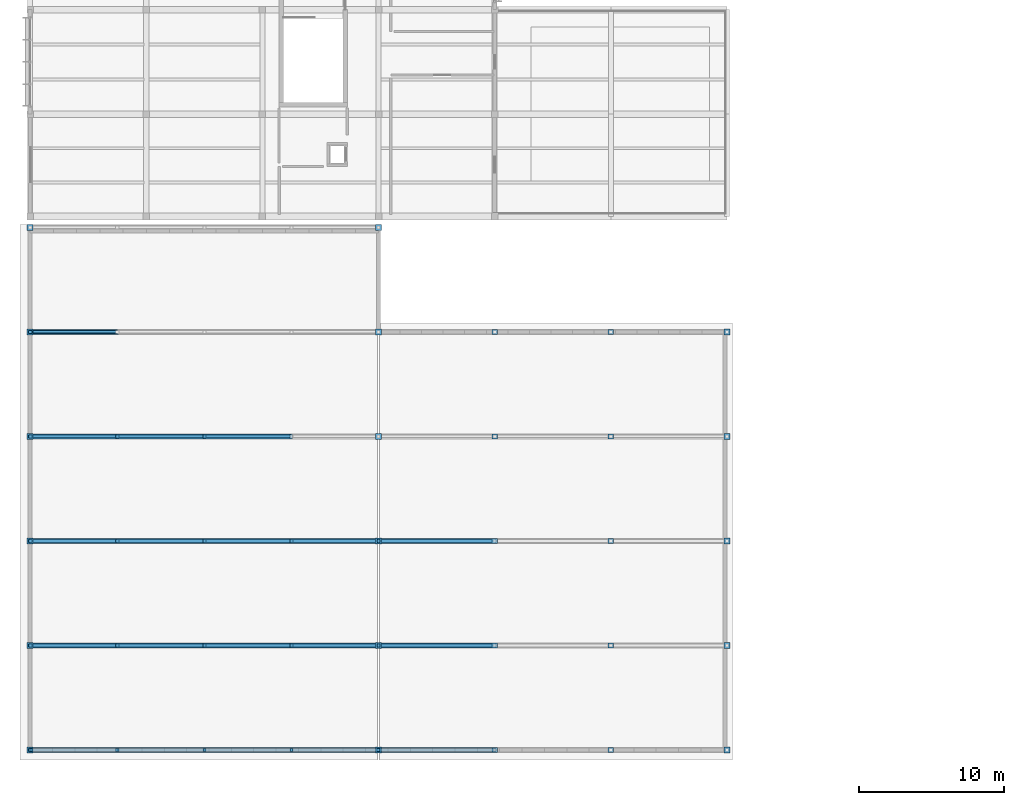
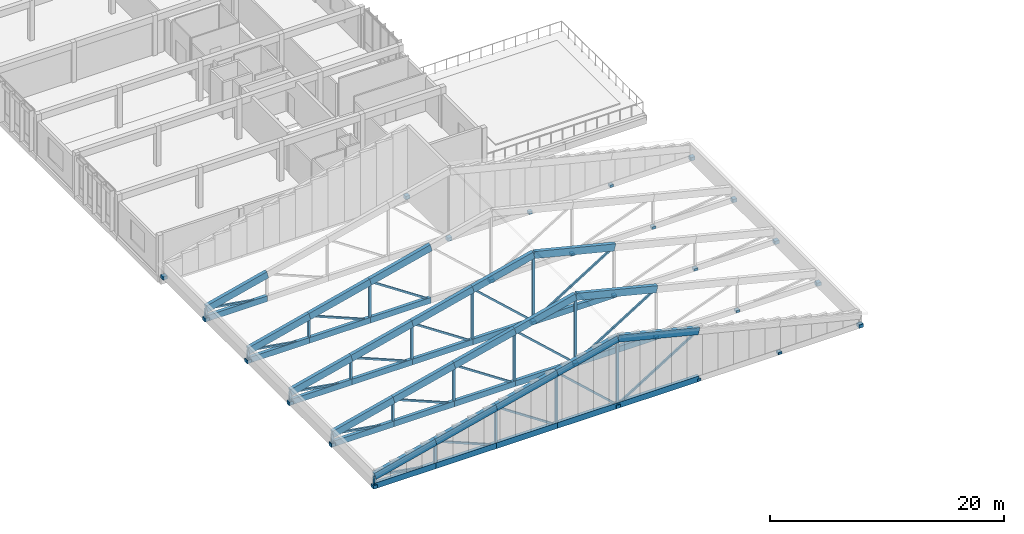
# One storey, part 5 of 107: 76 members, 27 columns.
"""IFC4 building model written with IfcOpenShell, lengths in metres."""

from ifc_helpers import new_model, si_unit, direction, frame, origin, origin_2d, place, context, subcontext, project, spatial, rectangle, extrude, material, material_profile, profile_set, type_object, element, save


model = new_model("IFC4")

# Units and contexts
model_context = context("Model", 3, precision=1e-05, world=origin(), true_north=direction((0.0, 1.0)))
body_context = subcontext(model_context, "Body", "Model", "MODEL_VIEW")
ifc_project = project(units=[si_unit("LENGTHUNIT", "METRE"), si_unit("AREAUNIT", "SQUARE_METRE"), si_unit("VOLUMEUNIT", "CUBIC_METRE"), si_unit("PLANEANGLEUNIT", "RADIAN"), si_unit("MASSUNIT", "GRAM", prefix="KILO")], contexts=[model_context])

# Site, building, storey
site_placement = place(None, origin())
site = spatial("IfcSite", under=ifc_project, at=site_placement, CompositionType="ELEMENT")
building_placement = place(site_placement, origin())
building = spatial("IfcBuilding", under=site, at=building_placement, Name="Chiffa Square Polytechnic", CompositionType="ELEMENT")
storey_placement = place(building_placement, frame((0.0, 0.0, 13.800048828125)))
storey = spatial("IfcBuildingStorey", under=building, at=storey_placement, Name="L03", CompositionType="ELEMENT", Elevation=13.800048828125)

# Columns
ifc_material_1 = material(Name="Glulam GL32c", Category="wood")
ifc_material_profile_1 = material_profile(ifc_material_1, rectangle(XDim=0.360107421875, YDim=0.360107421875, at=origin_2d()), Name="GL32c 360x360")
ifc_profile_set_1 = profile_set([ifc_material_profile_1], Name="Glulam GL32c")
column_type_1 = type_object("IfcColumnType", Name="COL-GL-360", PredefinedType="COLUMN", material=ifc_profile_set_1)
for number, where, z_axis, x_axis, name in (
    (1, (32.0, 0.0, 0.0), (0.0, 0.0, 1.0), (1.0, 0.0, 0.0), "Symposium truss post C-V3-L03-I01-32"),
    (2, (40.0, 0.0, 0.0), (0.0, 0.0, 1.0), (1.0, 0.0, 0.0), "Symposium truss post C-V3-L03-I01-40"),
    (3, (32.0, 7.199951171875, 0.0), (0.0, 0.0, 1.0), (1.0, 0.0, 0.0), "Symposium truss post C-V3-L03-I02-32"),
    (4, (40.0, 7.199951171875, 0.0), (0.0, 0.0, 1.0), (1.0, 0.0, 0.0), "Symposium truss post C-V3-L03-I02-40"),
    (5, (32.0, 14.39990234375, 0.0), (0.0, 0.0, 1.0), (1.0, 0.0, 0.0), "Symposium truss post C-V3-L03-I03-32"),
    (6, (40.0, 14.39990234375, 0.0), (0.0, 0.0, 1.0), (1.0, 0.0, 0.0), "Symposium truss post C-V3-L03-I03-40"),
    (7, (32.0, 21.60009765625, 0.0), (0.0, 0.0, 1.0), (1.0, 0.0, 0.0), "Symposium truss post C-V3-L03-I04-32"),
    (8, (40.0, 21.60009765625, 0.0), (0.0, 0.0, 1.0), (1.0, 0.0, 0.0), "Symposium truss post C-V3-L03-I04-40"),
    (9, (32.0, 28.800048828125, 0.0), (0.0, 0.0, 1.0), (1.0, 0.0, 0.0), "Symposium truss post C-V3-L03-I05-32"),
    (10, (40.0, 28.800048828125, 0.0), (0.0, 0.0, 1.0), (1.0, 0.0, 0.0), "Symposium truss post C-V3-L03-I05-40"),
):
    element("IfcColumn", number, at=place(storey_placement, frame(where, z_axis=z_axis, x_axis=x_axis)), inside=storey, type_object=column_type_1, Name=name, PredefinedType="COLUMN", context=body_context, shape_type="SweptSolid", body=[
        extrude(rectangle(XDim=0.360107421875, YDim=0.360107421875, at=origin_2d()), origin(), (0.0, 0.0, 1.0), 0.25),
    ])
ifc_material_profile_2 = material_profile(ifc_material_1, rectangle(XDim=0.419921875, YDim=0.419921875, at=origin_2d()), Name="GL32c 420x420")
ifc_profile_set_2 = profile_set([ifc_material_profile_2], Name="Glulam GL32c")
column_type_2 = type_object("IfcColumnType", Name="COL-GL-420", PredefinedType="COLUMN", material=ifc_profile_set_2)
for number, where, z_axis, x_axis, name in (
    (11, (0.0, 0.0, 0.0), (0.0, 0.0, 1.0), (1.0, 0.0, 0.0), "Lecture truss bearing post C-V3-L03-W01"),
    (12, (24.0, 0.0, 0.0), (0.0, 0.0, 1.0), (1.0, 0.0, 0.0), "Lecture truss bearing post C-V3-L03-M01"),
    (13, (48.0, 0.0, 0.0), (0.0, 0.0, 1.0), (1.0, 0.0, 0.0), "Lecture truss bearing post C-V3-L03-E01"),
    (14, (0.0, 7.199951171875, 0.0), (0.0, 0.0, 1.0), (1.0, 0.0, 0.0), "Lecture truss bearing post C-V3-L03-W02"),
    (15, (24.0, 7.199951171875, 0.0), (0.0, 0.0, 1.0), (1.0, 0.0, 0.0), "Lecture truss bearing post C-V3-L03-M02"),
    (16, (48.0, 7.199951171875, 0.0), (0.0, 0.0, 1.0), (1.0, 0.0, 0.0), "Lecture truss bearing post C-V3-L03-E02"),
    (17, (0.0, 14.39990234375, 0.0), (0.0, 0.0, 1.0), (1.0, 0.0, 0.0), "Lecture truss bearing post C-V3-L03-W03"),
    (18, (24.0, 14.39990234375, 0.0), (0.0, 0.0, 1.0), (1.0, 0.0, 0.0), "Lecture truss bearing post C-V3-L03-M03"),
    (19, (48.0, 14.39990234375, 0.0), (0.0, 0.0, 1.0), (1.0, 0.0, 0.0), "Lecture truss bearing post C-V3-L03-E03"),
    (20, (0.0, 21.60009765625, 0.0), (0.0, 0.0, 1.0), (1.0, 0.0, 0.0), "Lecture truss bearing post C-V3-L03-W04"),
    (21, (24.0, 21.60009765625, 0.0), (0.0, 0.0, 1.0), (1.0, 0.0, 0.0), "Lecture truss bearing post C-V3-L03-M04"),
    (22, (48.0, 21.60009765625, 0.0), (0.0, 0.0, 1.0), (1.0, 0.0, 0.0), "Lecture truss bearing post C-V3-L03-E04"),
    (23, (0.0, 28.800048828125, 0.0), (0.0, 0.0, 1.0), (1.0, 0.0, 0.0), "Lecture truss bearing post C-V3-L03-W05"),
    (24, (24.0, 28.800048828125, 0.0), (0.0, 0.0, 1.0), (1.0, 0.0, 0.0), "Lecture truss bearing post C-V3-L03-M05"),
    (25, (48.0, 28.800048828125, 0.0), (0.0, 0.0, 1.0), (1.0, 0.0, 0.0), "Lecture truss bearing post C-V3-L03-E05"),
    (26, (0.0, 36.0, 0.0), (0.0, 0.0, 1.0), (1.0, 0.0, 0.0), "Lecture truss bearing post C-V3-L03-W06"),
    (27, (24.0, 36.0, 0.0), (0.0, 0.0, 1.0), (1.0, 0.0, 0.0), "Lecture truss bearing post C-V3-L03-M06"),
):
    element("IfcColumn", number, at=place(storey_placement, frame(where, z_axis=z_axis, x_axis=x_axis)), inside=storey, type_object=column_type_2, Name=name, PredefinedType="COLUMN", context=body_context, shape_type="SweptSolid", body=[
        extrude(rectangle(XDim=0.419921875, YDim=0.419921875, at=origin_2d()), origin(), (0.0, 0.0, 1.0), 0.349853515625),
    ])

# Members
ifc_material_profile_3 = material_profile(ifc_material_1, rectangle(XDim=0.320068359375, YDim=0.60009765625, at=origin_2d()), Name="GL32c 320x600")
ifc_profile_set_3 = profile_set([ifc_material_profile_3], Name="Glulam GL32c")
member_type_1 = type_object("IfcMemberType", Name="MEM-CHORD-GL320", PredefinedType="CHORD", material=ifc_profile_set_3)
for number, where, z_axis, x_axis, name in (
    (28, (0.0, 0.0, 0.25), (1.0, 0.0, 0.0), (0.0, 1.0, 0.0), "Lecture glulam truss bottom chord TCB-V3-W01-1"),
    (29, (6.0, 0.0, 0.25), (1.0, 0.0, 0.0), (0.0, 1.0, 0.0), "Lecture glulam truss bottom chord TCB-V3-W01-2"),
    (30, (12.0, 0.0, 0.25), (1.0, 0.0, 0.0), (0.0, 1.0, 0.0), "Lecture glulam truss bottom chord TCB-V3-W01-3"),
    (31, (18.0, 0.0, 0.25), (1.0, 0.0, 0.0), (0.0, 1.0, 0.0), "Lecture glulam truss bottom chord TCB-V3-W01-4"),
):
    element("IfcMember", number, at=place(storey_placement, frame(where, z_axis=z_axis, x_axis=x_axis)), inside=storey, type_object=member_type_1, Name=name, PredefinedType="CHORD", context=body_context, shape_type="SweptSolid", body=[
        extrude(rectangle(XDim=0.320068359375, YDim=0.60009765625, at=origin_2d()), origin(), (0.0, 0.0, 1.0), 6.0),
    ])
member_1_placement = place(storey_placement, frame((24.0, 0.0, 0.25), z_axis=(1.0, 0.0, 0.0), x_axis=(0.0, 1.0, 0.0)))
element("IfcMember", 32, at=member_1_placement, inside=storey, type_object=member_type_1, Name="Symposium glulam truss bottom chord TCB-V3-E01-1", PredefinedType="CHORD", context=body_context, shape_type="SweptSolid", body=[
    extrude(rectangle(XDim=0.320068359375, YDim=0.60009765625, at=origin_2d()), origin(), (0.0, 0.0, 1.0), 8.0),
])
for number, where, z_axis, x_axis, name in (
    (33, (0.0, 7.199951171875, 0.25), (1.0, 0.0, 0.0), (0.0, 1.0, 0.0), "Lecture glulam truss bottom chord TCB-V3-W02-1"),
    (34, (6.0, 7.199951171875, 0.25), (1.0, 0.0, 0.0), (0.0, 1.0, 0.0), "Lecture glulam truss bottom chord TCB-V3-W02-2"),
    (35, (12.0, 7.199951171875, 0.25), (1.0, 0.0, 0.0), (0.0, 1.0, 0.0), "Lecture glulam truss bottom chord TCB-V3-W02-3"),
    (36, (18.0, 7.199951171875, 0.25), (1.0, 0.0, 0.0), (0.0, 1.0, 0.0), "Lecture glulam truss bottom chord TCB-V3-W02-4"),
):
    element("IfcMember", number, at=place(storey_placement, frame(where, z_axis=z_axis, x_axis=x_axis)), inside=storey, type_object=member_type_1, Name=name, PredefinedType="CHORD", context=body_context, shape_type="SweptSolid", body=[
        extrude(rectangle(XDim=0.320068359375, YDim=0.60009765625, at=origin_2d()), origin(), (0.0, 0.0, 1.0), 6.0),
    ])
member_2_placement = place(storey_placement, frame((24.0, 7.199951171875, 0.25), z_axis=(1.0, 0.0, 0.0), x_axis=(0.0, 1.0, 0.0)))
element("IfcMember", 37, at=member_2_placement, inside=storey, type_object=member_type_1, Name="Symposium glulam truss bottom chord TCB-V3-E02-1", PredefinedType="CHORD", context=body_context, shape_type="SweptSolid", body=[
    extrude(rectangle(XDim=0.320068359375, YDim=0.60009765625, at=origin_2d()), origin(), (0.0, 0.0, 1.0), 8.0),
])
for number, where, z_axis, x_axis, name in (
    (38, (0.0, 14.39990234375, 0.25), (1.0, 0.0, 0.0), (0.0, 1.0, 0.0), "Lecture glulam truss bottom chord TCB-V3-W03-1"),
    (39, (6.0, 14.39990234375, 0.25), (1.0, 0.0, 0.0), (0.0, 1.0, 0.0), "Lecture glulam truss bottom chord TCB-V3-W03-2"),
    (40, (12.0, 14.39990234375, 0.25), (1.0, 0.0, 0.0), (0.0, 1.0, 0.0), "Lecture glulam truss bottom chord TCB-V3-W03-3"),
    (41, (18.0, 14.39990234375, 0.25), (1.0, 0.0, 0.0), (0.0, 1.0, 0.0), "Lecture glulam truss bottom chord TCB-V3-W03-4"),
):
    element("IfcMember", number, at=place(storey_placement, frame(where, z_axis=z_axis, x_axis=x_axis)), inside=storey, type_object=member_type_1, Name=name, PredefinedType="CHORD", context=body_context, shape_type="SweptSolid", body=[
        extrude(rectangle(XDim=0.320068359375, YDim=0.60009765625, at=origin_2d()), origin(), (0.0, 0.0, 1.0), 6.0),
    ])
member_3_placement = place(storey_placement, frame((24.0, 14.39990234375, 0.25), z_axis=(1.0, 0.0, 0.0), x_axis=(0.0, 1.0, 0.0)))
element("IfcMember", 42, at=member_3_placement, inside=storey, type_object=member_type_1, Name="Symposium glulam truss bottom chord TCB-V3-E03-1", PredefinedType="CHORD", context=body_context, shape_type="SweptSolid", body=[
    extrude(rectangle(XDim=0.320068359375, YDim=0.60009765625, at=origin_2d()), origin(), (0.0, 0.0, 1.0), 8.0),
])
for number, where, z_axis, x_axis, name in (
    (43, (0.0, 21.60009765625, 0.25), (1.0, 0.0, 0.0), (0.0, 1.0, 0.0), "Lecture glulam truss bottom chord TCB-V3-W04-1"),
    (44, (6.0, 21.60009765625, 0.25), (1.0, 0.0, 0.0), (0.0, 1.0, 0.0), "Lecture glulam truss bottom chord TCB-V3-W04-2"),
    (45, (12.0, 21.60009765625, 0.25), (1.0, 0.0, 0.0), (0.0, 1.0, 0.0), "Lecture glulam truss bottom chord TCB-V3-W04-3"),
    (46, (0.0, 28.800048828125, 0.25), (1.0, 0.0, 0.0), (0.0, 1.0, 0.0), "Lecture glulam truss bottom chord TCB-V3-W05-1"),
):
    element("IfcMember", number, at=place(storey_placement, frame(where, z_axis=z_axis, x_axis=x_axis)), inside=storey, type_object=member_type_1, Name=name, PredefinedType="CHORD", context=body_context, shape_type="SweptSolid", body=[
        extrude(rectangle(XDim=0.320068359375, YDim=0.60009765625, at=origin_2d()), origin(), (0.0, 0.0, 1.0), 6.0),
    ])
ifc_material_profile_4 = material_profile(ifc_material_1, rectangle(XDim=0.360107421875, YDim=0.719970703125, at=origin_2d()), Name="GL32c 360x720")
ifc_profile_set_4 = profile_set([ifc_material_profile_4], Name="Glulam GL32c")
member_type_2 = type_object("IfcMemberType", Name="MEM-CHORD-GL360", PredefinedType="CHORD", material=ifc_profile_set_4)
for number, where, z_axis, x_axis, name in (
    (47, (0.0, 0.0, 1.25), (0.970300220947, 0.0, 0.241903867747), (0.0, 1.0, 0.0), "Lecture glulam truss top chord TCT-V3-W01-1"),
    (48, (6.0, 0.0, 2.745849609375), (0.970290953223, 0.0, 0.241941038466), (0.0, 1.0, 0.0), "Lecture glulam truss top chord TCT-V3-W01-2"),
    (49, (12.0, 0.0, 4.241943359375), (0.970290953223, 0.0, 0.241941038466), (0.0, 1.0, 0.0), "Lecture glulam truss top chord TCT-V3-W01-3"),
    (50, (18.0, 0.0, 5.738037109375), (0.970300220947, 0.0, 0.241903867747), (0.0, 1.0, 0.0), "Lecture glulam truss top chord TCT-V3-W01-4"),
):
    element("IfcMember", number, at=place(storey_placement, frame(where, z_axis=z_axis, x_axis=x_axis)), inside=storey, type_object=member_type_2, Name=name, PredefinedType="CHORD", context=body_context, shape_type="SweptSolid", body=[
        extrude(rectangle(XDim=0.360107421875, YDim=0.719970703125, at=origin_2d()), origin(), (0.0, 0.0, 1.0), 6.18359375),
    ])
member_4_placement = place(storey_placement, frame((24.0, 0.0, 7.23388671875), z_axis=(0.970288636097, 0.0, -0.24195033098), x_axis=(0.0, 1.0, 0.0)))
element("IfcMember", 51, at=member_4_placement, inside=storey, type_object=member_type_2, Name="Symposium glulam truss top chord TCT-V3-E01-1", PredefinedType="CHORD", context=body_context, shape_type="SweptSolid", body=[
    extrude(rectangle(XDim=0.360107421875, YDim=0.719970703125, at=origin_2d()), origin(), (0.0, 0.0, 1.0), 8.244873046875),
])
for number, where, z_axis, x_axis, name in (
    (52, (0.0, 7.199951171875, 1.25), (0.970300220947, 0.0, 0.241903867747), (0.0, 1.0, 0.0), "Lecture glulam truss top chord TCT-V3-W02-1"),
    (53, (6.0, 7.199951171875, 2.745849609375), (0.970290953223, 0.0, 0.241941038466), (0.0, 1.0, 0.0), "Lecture glulam truss top chord TCT-V3-W02-2"),
    (54, (12.0, 7.199951171875, 4.241943359375), (0.970290953223, 0.0, 0.241941038466), (0.0, 1.0, 0.0), "Lecture glulam truss top chord TCT-V3-W02-3"),
    (55, (18.0, 7.199951171875, 5.738037109375), (0.970300220947, 0.0, 0.241903867747), (0.0, 1.0, 0.0), "Lecture glulam truss top chord TCT-V3-W02-4"),
):
    element("IfcMember", number, at=place(storey_placement, frame(where, z_axis=z_axis, x_axis=x_axis)), inside=storey, type_object=member_type_2, Name=name, PredefinedType="CHORD", context=body_context, shape_type="SweptSolid", body=[
        extrude(rectangle(XDim=0.360107421875, YDim=0.719970703125, at=origin_2d()), origin(), (0.0, 0.0, 1.0), 6.18359375),
    ])
member_5_placement = place(storey_placement, frame((24.0, 7.199951171875, 7.23388671875), z_axis=(0.970288636097, 0.0, -0.24195033098), x_axis=(0.0, 1.0, 0.0)))
element("IfcMember", 56, at=member_5_placement, inside=storey, type_object=member_type_2, Name="Symposium glulam truss top chord TCT-V3-E02-1", PredefinedType="CHORD", context=body_context, shape_type="SweptSolid", body=[
    extrude(rectangle(XDim=0.360107421875, YDim=0.719970703125, at=origin_2d()), origin(), (0.0, 0.0, 1.0), 8.244873046875),
])
for number, where, z_axis, x_axis, name in (
    (57, (0.0, 14.39990234375, 1.25), (0.970300220947, 0.0, 0.241903867747), (0.0, 1.0, 0.0), "Lecture glulam truss top chord TCT-V3-W03-1"),
    (58, (6.0, 14.39990234375, 2.745849609375), (0.970290953223, 0.0, 0.241941038466), (0.0, 1.0, 0.0), "Lecture glulam truss top chord TCT-V3-W03-2"),
    (59, (12.0, 14.39990234375, 4.241943359375), (0.970290953223, 0.0, 0.241941038466), (0.0, 1.0, 0.0), "Lecture glulam truss top chord TCT-V3-W03-3"),
    (60, (18.0, 14.39990234375, 5.738037109375), (0.970300220947, 0.0, 0.241903867747), (0.0, 1.0, 0.0), "Lecture glulam truss top chord TCT-V3-W03-4"),
):
    element("IfcMember", number, at=place(storey_placement, frame(where, z_axis=z_axis, x_axis=x_axis)), inside=storey, type_object=member_type_2, Name=name, PredefinedType="CHORD", context=body_context, shape_type="SweptSolid", body=[
        extrude(rectangle(XDim=0.360107421875, YDim=0.719970703125, at=origin_2d()), origin(), (0.0, 0.0, 1.0), 6.18359375),
    ])
member_6_placement = place(storey_placement, frame((24.0, 14.39990234375, 7.23388671875), z_axis=(0.970288636097, 0.0, -0.24195033098), x_axis=(0.0, 1.0, 0.0)))
element("IfcMember", 61, at=member_6_placement, inside=storey, type_object=member_type_2, Name="Symposium glulam truss top chord TCT-V3-E03-1", PredefinedType="CHORD", context=body_context, shape_type="SweptSolid", body=[
    extrude(rectangle(XDim=0.360107421875, YDim=0.719970703125, at=origin_2d()), origin(), (0.0, 0.0, 1.0), 8.244873046875),
])
for number, where, z_axis, x_axis, name in (
    (62, (0.0, 21.60009765625, 1.25), (0.970300220947, 0.0, 0.241903867747), (0.0, 1.0, 0.0), "Lecture glulam truss top chord TCT-V3-W04-1"),
    (63, (6.0, 21.60009765625, 2.745849609375), (0.970290953223, 0.0, 0.241941038466), (0.0, 1.0, 0.0), "Lecture glulam truss top chord TCT-V3-W04-2"),
    (64, (12.0, 21.60009765625, 4.241943359375), (0.970290953223, 0.0, 0.241941038466), (0.0, 1.0, 0.0), "Lecture glulam truss top chord TCT-V3-W04-3"),
    (65, (0.0, 28.800048828125, 1.25), (0.970300220947, 0.0, 0.241903867747), (0.0, 1.0, 0.0), "Lecture glulam truss top chord TCT-V3-W05-1"),
):
    element("IfcMember", number, at=place(storey_placement, frame(where, z_axis=z_axis, x_axis=x_axis)), inside=storey, type_object=member_type_2, Name=name, PredefinedType="CHORD", context=body_context, shape_type="SweptSolid", body=[
        extrude(rectangle(XDim=0.360107421875, YDim=0.719970703125, at=origin_2d()), origin(), (0.0, 0.0, 1.0), 6.18359375),
    ])
ifc_material_2 = material(Name="Glulam GL28h", Category="wood")
ifc_material_profile_5 = material_profile(ifc_material_2, rectangle(XDim=0.179931640625, YDim=0.179931640625, at=origin_2d()), Name="GL28h 180x180")
ifc_profile_set_5 = profile_set([ifc_material_profile_5], Name="Glulam GL28h")
member_type_3 = type_object("IfcMemberType", Name="MEM-WEB-GL180", PredefinedType="MEMBER", material=ifc_profile_set_5)
member_7_placement = place(storey_placement, frame((0.0, 0.0, 1.25), z_axis=(0.986393923832, 0.0, -0.164398987305), x_axis=(0.0, 1.0, 0.0)))
element("IfcMember", 66, at=member_7_placement, inside=storey, type_object=member_type_3, Name="Lecture glulam truss diagonal TWD-V3-W01-1", PredefinedType="MEMBER", context=body_context, shape_type="SweptSolid", body=[
    extrude(rectangle(XDim=0.179931640625, YDim=0.179931640625, at=origin_2d()), origin(), (0.0, 0.0, 1.0), 6.082763671875),
])
member_8_placement = place(storey_placement, frame((6.0, 0.0, 2.745849609375), z_axis=(0.923303512379, 0.0, -0.384071118451), x_axis=(0.0, 1.0, 0.0)))
element("IfcMember", 67, at=member_8_placement, inside=storey, type_object=member_type_3, Name="Lecture glulam truss diagonal TWD-V3-W01-2", PredefinedType="MEMBER", context=body_context, shape_type="SweptSolid", body=[
    extrude(rectangle(XDim=0.179931640625, YDim=0.179931640625, at=origin_2d()), origin(), (0.0, 0.0, 1.0), 6.498291015625),
])
member_9_placement = place(storey_placement, frame((12.0, 0.0, 4.241943359375), z_axis=(0.83256591009, 0.0, -0.553925992671), x_axis=(0.0, 1.0, 0.0)))
element("IfcMember", 68, at=member_9_placement, inside=storey, type_object=member_type_3, Name="Lecture glulam truss diagonal TWD-V3-W01-3", PredefinedType="MEMBER", context=body_context, shape_type="SweptSolid", body=[
    extrude(rectangle(XDim=0.179931640625, YDim=0.179931640625, at=origin_2d()), origin(), (0.0, 0.0, 1.0), 7.20654296875),
])
member_10_placement = place(storey_placement, frame((18.0, 0.0, 5.738037109375), z_axis=(0.737886535489, 0.0, -0.674924781545), x_axis=(0.0, 1.0, 0.0)))
element("IfcMember", 69, at=member_10_placement, inside=storey, type_object=member_type_3, Name="Lecture glulam truss diagonal TWD-V3-W01-4", PredefinedType="MEMBER", context=body_context, shape_type="SweptSolid", body=[
    extrude(rectangle(XDim=0.179931640625, YDim=0.179931640625, at=origin_2d()), origin(), (0.0, 0.0, 1.0), 8.13134765625),
])
member_11_placement = place(storey_placement, frame((24.0, 0.0, 0.25), z_axis=(0.848521605549, 0.0, 0.529160736371), x_axis=(0.0, 1.0, 0.0)))
element("IfcMember", 70, at=member_11_placement, inside=storey, type_object=member_type_3, Name="Symposium glulam truss diagonal TWD-V3-E01-1", PredefinedType="MEMBER", context=body_context, shape_type="SweptSolid", body=[
    extrude(rectangle(XDim=0.179931640625, YDim=0.179931640625, at=origin_2d()), origin(), (0.0, 0.0, 1.0), 9.42822265625),
])
member_12_placement = place(storey_placement, frame((0.0, 7.199951171875, 1.25), z_axis=(0.986393923832, 0.0, -0.164398987305), x_axis=(0.0, 1.0, 0.0)))
element("IfcMember", 71, at=member_12_placement, inside=storey, type_object=member_type_3, Name="Lecture glulam truss diagonal TWD-V3-W02-1", PredefinedType="MEMBER", context=body_context, shape_type="SweptSolid", body=[
    extrude(rectangle(XDim=0.179931640625, YDim=0.179931640625, at=origin_2d()), origin(), (0.0, 0.0, 1.0), 6.082763671875),
])
member_13_placement = place(storey_placement, frame((6.0, 7.199951171875, 2.745849609375), z_axis=(0.923303512379, 0.0, -0.384071118451), x_axis=(0.0, 1.0, 0.0)))
element("IfcMember", 72, at=member_13_placement, inside=storey, type_object=member_type_3, Name="Lecture glulam truss diagonal TWD-V3-W02-2", PredefinedType="MEMBER", context=body_context, shape_type="SweptSolid", body=[
    extrude(rectangle(XDim=0.179931640625, YDim=0.179931640625, at=origin_2d()), origin(), (0.0, 0.0, 1.0), 6.498291015625),
])
member_14_placement = place(storey_placement, frame((12.0, 7.199951171875, 4.241943359375), z_axis=(0.83256591009, 0.0, -0.553925992671), x_axis=(0.0, 1.0, 0.0)))
element("IfcMember", 73, at=member_14_placement, inside=storey, type_object=member_type_3, Name="Lecture glulam truss diagonal TWD-V3-W02-3", PredefinedType="MEMBER", context=body_context, shape_type="SweptSolid", body=[
    extrude(rectangle(XDim=0.179931640625, YDim=0.179931640625, at=origin_2d()), origin(), (0.0, 0.0, 1.0), 7.20654296875),
])
member_15_placement = place(storey_placement, frame((18.0, 7.199951171875, 5.738037109375), z_axis=(0.737886535489, 0.0, -0.674924781545), x_axis=(0.0, 1.0, 0.0)))
element("IfcMember", 74, at=member_15_placement, inside=storey, type_object=member_type_3, Name="Lecture glulam truss diagonal TWD-V3-W02-4", PredefinedType="MEMBER", context=body_context, shape_type="SweptSolid", body=[
    extrude(rectangle(XDim=0.179931640625, YDim=0.179931640625, at=origin_2d()), origin(), (0.0, 0.0, 1.0), 8.13134765625),
])
member_16_placement = place(storey_placement, frame((24.0, 7.199951171875, 0.25), z_axis=(0.848521605549, 0.0, 0.529160736371), x_axis=(0.0, 1.0, 0.0)))
element("IfcMember", 75, at=member_16_placement, inside=storey, type_object=member_type_3, Name="Symposium glulam truss diagonal TWD-V3-E02-1", PredefinedType="MEMBER", context=body_context, shape_type="SweptSolid", body=[
    extrude(rectangle(XDim=0.179931640625, YDim=0.179931640625, at=origin_2d()), origin(), (0.0, 0.0, 1.0), 9.42822265625),
])
member_17_placement = place(storey_placement, frame((0.0, 14.39990234375, 1.25), z_axis=(0.986393923832, 0.0, -0.164398987305), x_axis=(0.0, 1.0, 0.0)))
element("IfcMember", 76, at=member_17_placement, inside=storey, type_object=member_type_3, Name="Lecture glulam truss diagonal TWD-V3-W03-1", PredefinedType="MEMBER", context=body_context, shape_type="SweptSolid", body=[
    extrude(rectangle(XDim=0.179931640625, YDim=0.179931640625, at=origin_2d()), origin(), (0.0, 0.0, 1.0), 6.082763671875),
])
member_18_placement = place(storey_placement, frame((6.0, 14.39990234375, 2.745849609375), z_axis=(0.923303512379, 0.0, -0.384071118451), x_axis=(0.0, 1.0, 0.0)))
element("IfcMember", 77, at=member_18_placement, inside=storey, type_object=member_type_3, Name="Lecture glulam truss diagonal TWD-V3-W03-2", PredefinedType="MEMBER", context=body_context, shape_type="SweptSolid", body=[
    extrude(rectangle(XDim=0.179931640625, YDim=0.179931640625, at=origin_2d()), origin(), (0.0, 0.0, 1.0), 6.498291015625),
])
member_19_placement = place(storey_placement, frame((12.0, 14.39990234375, 4.241943359375), z_axis=(0.83256591009, 0.0, -0.553925992671), x_axis=(0.0, 1.0, 0.0)))
element("IfcMember", 78, at=member_19_placement, inside=storey, type_object=member_type_3, Name="Lecture glulam truss diagonal TWD-V3-W03-3", PredefinedType="MEMBER", context=body_context, shape_type="SweptSolid", body=[
    extrude(rectangle(XDim=0.179931640625, YDim=0.179931640625, at=origin_2d()), origin(), (0.0, 0.0, 1.0), 7.20654296875),
])
member_20_placement = place(storey_placement, frame((18.0, 14.39990234375, 5.738037109375), z_axis=(0.737886535489, 0.0, -0.674924781545), x_axis=(0.0, 1.0, 0.0)))
element("IfcMember", 79, at=member_20_placement, inside=storey, type_object=member_type_3, Name="Lecture glulam truss diagonal TWD-V3-W03-4", PredefinedType="MEMBER", context=body_context, shape_type="SweptSolid", body=[
    extrude(rectangle(XDim=0.179931640625, YDim=0.179931640625, at=origin_2d()), origin(), (0.0, 0.0, 1.0), 8.13134765625),
])
member_21_placement = place(storey_placement, frame((24.0, 14.39990234375, 0.25), z_axis=(0.848521605549, 0.0, 0.529160736371), x_axis=(0.0, 1.0, 0.0)))
element("IfcMember", 80, at=member_21_placement, inside=storey, type_object=member_type_3, Name="Symposium glulam truss diagonal TWD-V3-E03-1", PredefinedType="MEMBER", context=body_context, shape_type="SweptSolid", body=[
    extrude(rectangle(XDim=0.179931640625, YDim=0.179931640625, at=origin_2d()), origin(), (0.0, 0.0, 1.0), 9.42822265625),
])
member_22_placement = place(storey_placement, frame((0.0, 21.60009765625, 1.25), z_axis=(0.986393923832, 0.0, -0.164398987305), x_axis=(0.0, 1.0, 0.0)))
element("IfcMember", 81, at=member_22_placement, inside=storey, type_object=member_type_3, Name="Lecture glulam truss diagonal TWD-V3-W04-1", PredefinedType="MEMBER", context=body_context, shape_type="SweptSolid", body=[
    extrude(rectangle(XDim=0.179931640625, YDim=0.179931640625, at=origin_2d()), origin(), (0.0, 0.0, 1.0), 6.082763671875),
])
member_23_placement = place(storey_placement, frame((6.0, 21.60009765625, 2.745849609375), z_axis=(0.923303512379, 0.0, -0.384071118451), x_axis=(0.0, 1.0, 0.0)))
element("IfcMember", 82, at=member_23_placement, inside=storey, type_object=member_type_3, Name="Lecture glulam truss diagonal TWD-V3-W04-2", PredefinedType="MEMBER", context=body_context, shape_type="SweptSolid", body=[
    extrude(rectangle(XDim=0.179931640625, YDim=0.179931640625, at=origin_2d()), origin(), (0.0, 0.0, 1.0), 6.498291015625),
])
member_24_placement = place(storey_placement, frame((12.0, 21.60009765625, 4.241943359375), z_axis=(0.83256591009, 0.0, -0.553925992671), x_axis=(0.0, 1.0, 0.0)))
element("IfcMember", 83, at=member_24_placement, inside=storey, type_object=member_type_3, Name="Lecture glulam truss diagonal TWD-V3-W04-3", PredefinedType="MEMBER", context=body_context, shape_type="SweptSolid", body=[
    extrude(rectangle(XDim=0.179931640625, YDim=0.179931640625, at=origin_2d()), origin(), (0.0, 0.0, 1.0), 7.20654296875),
])
member_25_placement = place(storey_placement, frame((0.0, 28.800048828125, 1.25), z_axis=(0.986393923832, 0.0, -0.164398987305), x_axis=(0.0, 1.0, 0.0)))
element("IfcMember", 84, at=member_25_placement, inside=storey, type_object=member_type_3, Name="Lecture glulam truss diagonal TWD-V3-W05-1", PredefinedType="MEMBER", context=body_context, shape_type="SweptSolid", body=[
    extrude(rectangle(XDim=0.179931640625, YDim=0.179931640625, at=origin_2d()), origin(), (0.0, 0.0, 1.0), 6.082763671875),
])
ifc_material_profile_6 = material_profile(ifc_material_2, rectangle(XDim=0.219970703125, YDim=0.219970703125, at=origin_2d()), Name="GL28h 220x220")
ifc_profile_set_6 = profile_set([ifc_material_profile_6], Name="Glulam GL28h")
member_type_4 = type_object("IfcMemberType", Name="MEM-WEB-GL220", PredefinedType="MEMBER", material=ifc_profile_set_6)
member_26_placement = place(storey_placement, frame((0.0, 0.0, 0.25), z_axis=(0.0, 0.0, 1.0), x_axis=(1.0, 0.0, 0.0)))
element("IfcMember", 85, at=member_26_placement, inside=storey, type_object=member_type_4, Name="Lecture glulam truss vertical TWV-V3-W01-1", PredefinedType="MEMBER", context=body_context, shape_type="SweptSolid", body=[
    extrude(rectangle(XDim=0.219970703125, YDim=0.219970703125, at=origin_2d()), origin(), (0.0, 0.0, 1.0), 1.0),
])
member_27_placement = place(storey_placement, frame((6.0, 0.0, 0.25), z_axis=(0.0, 0.0, 1.0), x_axis=(1.0, 0.0, 0.0)))
element("IfcMember", 86, at=member_27_placement, inside=storey, type_object=member_type_4, Name="Lecture glulam truss vertical TWV-V3-W01-2", PredefinedType="MEMBER", context=body_context, shape_type="SweptSolid", body=[
    extrude(rectangle(XDim=0.219970703125, YDim=0.219970703125, at=origin_2d()), origin(), (0.0, 0.0, 1.0), 2.495849609375),
])
member_28_placement = place(storey_placement, frame((12.0, 0.0, 0.25), z_axis=(0.0, 0.0, 1.0), x_axis=(1.0, 0.0, 0.0)))
element("IfcMember", 87, at=member_28_placement, inside=storey, type_object=member_type_4, Name="Lecture glulam truss vertical TWV-V3-W01-3", PredefinedType="MEMBER", context=body_context, shape_type="SweptSolid", body=[
    extrude(rectangle(XDim=0.219970703125, YDim=0.219970703125, at=origin_2d()), origin(), (0.0, 0.0, 1.0), 3.991943359375),
])
member_29_placement = place(storey_placement, frame((18.0, 0.0, 0.25), z_axis=(0.0, 0.0, 1.0), x_axis=(1.0, 0.0, 0.0)))
element("IfcMember", 88, at=member_29_placement, inside=storey, type_object=member_type_4, Name="Lecture glulam truss vertical TWV-V3-W01-4", PredefinedType="MEMBER", context=body_context, shape_type="SweptSolid", body=[
    extrude(rectangle(XDim=0.219970703125, YDim=0.219970703125, at=origin_2d()), origin(), (0.0, 0.0, 1.0), 5.488037109375),
])
member_30_placement = place(storey_placement, frame((24.0, 0.0, 0.25), z_axis=(0.0, 0.0, 1.0), x_axis=(1.0, 0.0, 0.0)))
element("IfcMember", 89, at=member_30_placement, inside=storey, type_object=member_type_4, Name="Lecture glulam truss vertical TWV-V3-W01-5", PredefinedType="MEMBER", context=body_context, shape_type="SweptSolid", body=[
    extrude(rectangle(XDim=0.219970703125, YDim=0.219970703125, at=origin_2d()), origin(), (0.0, 0.0, 1.0), 6.98388671875),
])
member_31_placement = place(storey_placement, frame((0.0, 7.199951171875, 0.25), z_axis=(0.0, 0.0, 1.0), x_axis=(1.0, 0.0, 0.0)))
element("IfcMember", 90, at=member_31_placement, inside=storey, type_object=member_type_4, Name="Lecture glulam truss vertical TWV-V3-W02-1", PredefinedType="MEMBER", context=body_context, shape_type="SweptSolid", body=[
    extrude(rectangle(XDim=0.219970703125, YDim=0.219970703125, at=origin_2d()), origin(), (0.0, 0.0, 1.0), 1.0),
])
member_32_placement = place(storey_placement, frame((6.0, 7.199951171875, 0.25), z_axis=(0.0, 0.0, 1.0), x_axis=(1.0, 0.0, 0.0)))
element("IfcMember", 91, at=member_32_placement, inside=storey, type_object=member_type_4, Name="Lecture glulam truss vertical TWV-V3-W02-2", PredefinedType="MEMBER", context=body_context, shape_type="SweptSolid", body=[
    extrude(rectangle(XDim=0.219970703125, YDim=0.219970703125, at=origin_2d()), origin(), (0.0, 0.0, 1.0), 2.495849609375),
])
member_33_placement = place(storey_placement, frame((12.0, 7.199951171875, 0.25), z_axis=(0.0, 0.0, 1.0), x_axis=(1.0, 0.0, 0.0)))
element("IfcMember", 92, at=member_33_placement, inside=storey, type_object=member_type_4, Name="Lecture glulam truss vertical TWV-V3-W02-3", PredefinedType="MEMBER", context=body_context, shape_type="SweptSolid", body=[
    extrude(rectangle(XDim=0.219970703125, YDim=0.219970703125, at=origin_2d()), origin(), (0.0, 0.0, 1.0), 3.991943359375),
])
member_34_placement = place(storey_placement, frame((18.0, 7.199951171875, 0.25), z_axis=(0.0, 0.0, 1.0), x_axis=(1.0, 0.0, 0.0)))
element("IfcMember", 93, at=member_34_placement, inside=storey, type_object=member_type_4, Name="Lecture glulam truss vertical TWV-V3-W02-4", PredefinedType="MEMBER", context=body_context, shape_type="SweptSolid", body=[
    extrude(rectangle(XDim=0.219970703125, YDim=0.219970703125, at=origin_2d()), origin(), (0.0, 0.0, 1.0), 5.488037109375),
])
member_35_placement = place(storey_placement, frame((24.0, 7.199951171875, 0.25), z_axis=(0.0, 0.0, 1.0), x_axis=(1.0, 0.0, 0.0)))
element("IfcMember", 94, at=member_35_placement, inside=storey, type_object=member_type_4, Name="Lecture glulam truss vertical TWV-V3-W02-5", PredefinedType="MEMBER", context=body_context, shape_type="SweptSolid", body=[
    extrude(rectangle(XDim=0.219970703125, YDim=0.219970703125, at=origin_2d()), origin(), (0.0, 0.0, 1.0), 6.98388671875),
])
member_36_placement = place(storey_placement, frame((0.0, 14.39990234375, 0.25), z_axis=(0.0, 0.0, 1.0), x_axis=(1.0, 0.0, 0.0)))
element("IfcMember", 95, at=member_36_placement, inside=storey, type_object=member_type_4, Name="Lecture glulam truss vertical TWV-V3-W03-1", PredefinedType="MEMBER", context=body_context, shape_type="SweptSolid", body=[
    extrude(rectangle(XDim=0.219970703125, YDim=0.219970703125, at=origin_2d()), origin(), (0.0, 0.0, 1.0), 1.0),
])
member_37_placement = place(storey_placement, frame((6.0, 14.39990234375, 0.25), z_axis=(0.0, 0.0, 1.0), x_axis=(1.0, 0.0, 0.0)))
element("IfcMember", 96, at=member_37_placement, inside=storey, type_object=member_type_4, Name="Lecture glulam truss vertical TWV-V3-W03-2", PredefinedType="MEMBER", context=body_context, shape_type="SweptSolid", body=[
    extrude(rectangle(XDim=0.219970703125, YDim=0.219970703125, at=origin_2d()), origin(), (0.0, 0.0, 1.0), 2.495849609375),
])
member_38_placement = place(storey_placement, frame((12.0, 14.39990234375, 0.25), z_axis=(0.0, 0.0, 1.0), x_axis=(1.0, 0.0, 0.0)))
element("IfcMember", 97, at=member_38_placement, inside=storey, type_object=member_type_4, Name="Lecture glulam truss vertical TWV-V3-W03-3", PredefinedType="MEMBER", context=body_context, shape_type="SweptSolid", body=[
    extrude(rectangle(XDim=0.219970703125, YDim=0.219970703125, at=origin_2d()), origin(), (0.0, 0.0, 1.0), 3.991943359375),
])
member_39_placement = place(storey_placement, frame((18.0, 14.39990234375, 0.25), z_axis=(0.0, 0.0, 1.0), x_axis=(1.0, 0.0, 0.0)))
element("IfcMember", 98, at=member_39_placement, inside=storey, type_object=member_type_4, Name="Lecture glulam truss vertical TWV-V3-W03-4", PredefinedType="MEMBER", context=body_context, shape_type="SweptSolid", body=[
    extrude(rectangle(XDim=0.219970703125, YDim=0.219970703125, at=origin_2d()), origin(), (0.0, 0.0, 1.0), 5.488037109375),
])
member_40_placement = place(storey_placement, frame((24.0, 14.39990234375, 0.25), z_axis=(0.0, 0.0, 1.0), x_axis=(1.0, 0.0, 0.0)))
element("IfcMember", 99, at=member_40_placement, inside=storey, type_object=member_type_4, Name="Lecture glulam truss vertical TWV-V3-W03-5", PredefinedType="MEMBER", context=body_context, shape_type="SweptSolid", body=[
    extrude(rectangle(XDim=0.219970703125, YDim=0.219970703125, at=origin_2d()), origin(), (0.0, 0.0, 1.0), 6.98388671875),
])
member_41_placement = place(storey_placement, frame((0.0, 21.60009765625, 0.25), z_axis=(0.0, 0.0, 1.0), x_axis=(1.0, 0.0, 0.0)))
element("IfcMember", 100, at=member_41_placement, inside=storey, type_object=member_type_4, Name="Lecture glulam truss vertical TWV-V3-W04-1", PredefinedType="MEMBER", context=body_context, shape_type="SweptSolid", body=[
    extrude(rectangle(XDim=0.219970703125, YDim=0.219970703125, at=origin_2d()), origin(), (0.0, 0.0, 1.0), 1.0),
])
member_42_placement = place(storey_placement, frame((6.0, 21.60009765625, 0.25), z_axis=(0.0, 0.0, 1.0), x_axis=(1.0, 0.0, 0.0)))
element("IfcMember", 101, at=member_42_placement, inside=storey, type_object=member_type_4, Name="Lecture glulam truss vertical TWV-V3-W04-2", PredefinedType="MEMBER", context=body_context, shape_type="SweptSolid", body=[
    extrude(rectangle(XDim=0.219970703125, YDim=0.219970703125, at=origin_2d()), origin(), (0.0, 0.0, 1.0), 2.495849609375),
])
member_43_placement = place(storey_placement, frame((12.0, 21.60009765625, 0.25), z_axis=(0.0, 0.0, 1.0), x_axis=(1.0, 0.0, 0.0)))
element("IfcMember", 102, at=member_43_placement, inside=storey, type_object=member_type_4, Name="Lecture glulam truss vertical TWV-V3-W04-3", PredefinedType="MEMBER", context=body_context, shape_type="SweptSolid", body=[
    extrude(rectangle(XDim=0.219970703125, YDim=0.219970703125, at=origin_2d()), origin(), (0.0, 0.0, 1.0), 3.991943359375),
])
member_44_placement = place(storey_placement, frame((0.0, 28.800048828125, 0.25), z_axis=(0.0, 0.0, 1.0), x_axis=(1.0, 0.0, 0.0)))
element("IfcMember", 103, at=member_44_placement, inside=storey, type_object=member_type_4, Name="Lecture glulam truss vertical TWV-V3-W05-1", PredefinedType="MEMBER", context=body_context, shape_type="SweptSolid", body=[
    extrude(rectangle(XDim=0.219970703125, YDim=0.219970703125, at=origin_2d()), origin(), (0.0, 0.0, 1.0), 1.0),
])

save(model, "model.ifc")
